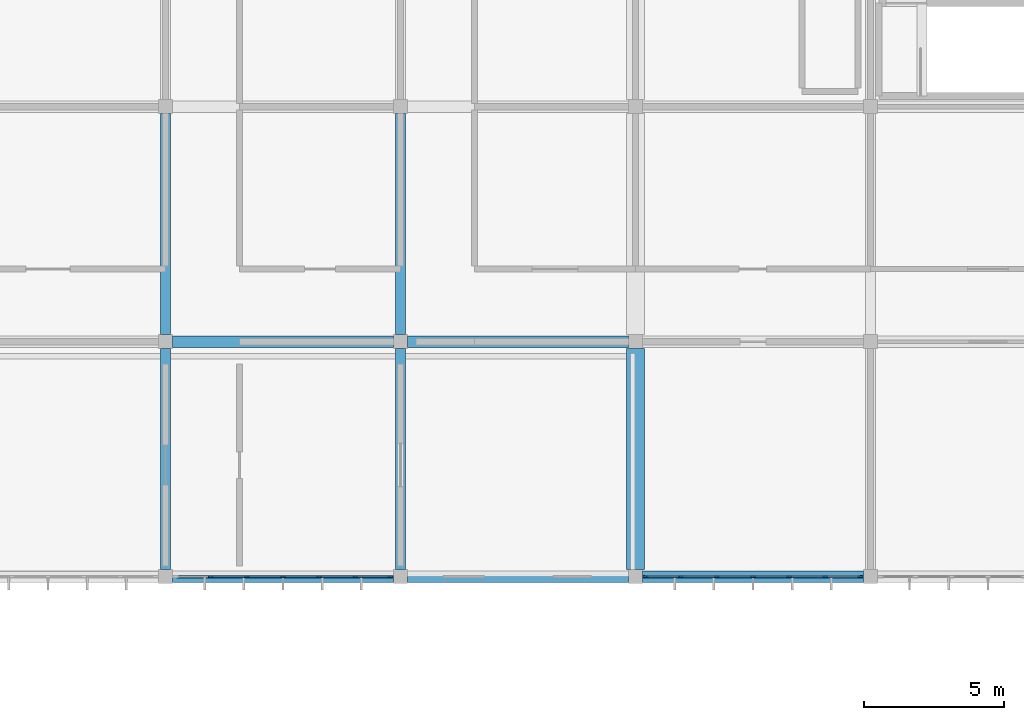
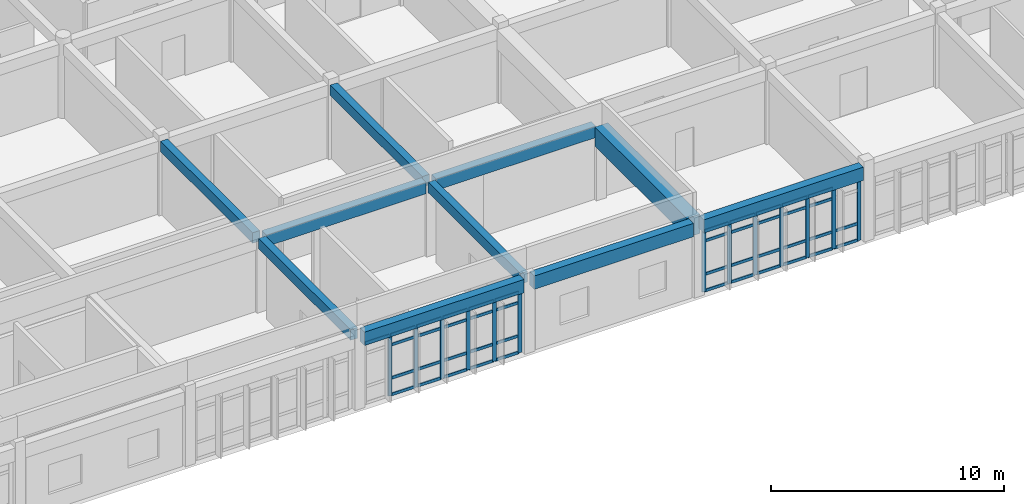
# One storey, part 5 of 119: 56 members, 10 beams, 2 elements without a shape of their own.
"""IFC4 building model written with IfcOpenShell, lengths in metres."""

from ifc_helpers import new_model, si_unit, direction, frame, origin, origin_2d, place, context, subcontext, project, spatial, rectangle, extrude, material, layer, layer_set, material_profile, profile_set, type_object, element, aggregate, save


model = new_model("IFC4")

# Units and contexts
model_context = context("Model", 3, precision=1e-05, world=origin(), true_north=direction((0.0, 1.0)))
body_context = subcontext(model_context, "Body", "Model", "MODEL_VIEW")
ifc_project = project(units=[si_unit("LENGTHUNIT", "METRE"), si_unit("AREAUNIT", "SQUARE_METRE"), si_unit("VOLUMEUNIT", "CUBIC_METRE"), si_unit("PLANEANGLEUNIT", "RADIAN"), si_unit("MASSUNIT", "GRAM", prefix="KILO")], contexts=[model_context])

# Site, building, storey
site_placement = place(None, origin())
site = spatial("IfcSite", under=ifc_project, at=site_placement, CompositionType="ELEMENT")
building_placement = place(site_placement, origin())
building = spatial("IfcBuilding", under=site, at=building_placement, Name="Bramfleet General Hospital", CompositionType="ELEMENT")
storey_placement = place(building_placement, frame((0.0, 0.0, 14.39990234375)))
storey = spatial("IfcBuildingStorey", under=building, at=storey_placement, Name="L03", CompositionType="ELEMENT", Elevation=14.39990234375)

# Beams
ifc_material_1 = material(Name="Concrete C35/45", Category="concrete")
ifc_material_profile_1 = material_profile(ifc_material_1, rectangle(XDim=0.35009765625, YDim=0.550048828125, at=origin_2d()), Name="RC BM 550x350")
ifc_profile_set_1 = profile_set([ifc_material_profile_1], Name="Concrete C35/45")
beam_type_1 = type_object("IfcBeamType", Name="BM-RC550", PredefinedType="BEAM", material=ifc_profile_set_1)
beam_1_placement = place(storey_placement, frame((33.60009765625, 50.64990234375, 3.625), z_axis=(0.0, 1.0, 0.0), x_axis=(-1.0, 0.0, 0.0)))
element("IfcBeam", 1, at=beam_1_placement, inside=storey, type_object=beam_type_1, Name="L03 Grid Beam Y 04-06", PredefinedType="BEAM", context=body_context, shape_type="SweptSolid", body=[
    extrude(rectangle(XDim=0.35009765625, YDim=0.550048828125, at=origin_2d()), origin(), (0.0, 0.0, 1.0), 7.900146484375),
])
beam_2_placement = place(storey_placement, frame((33.60009765625, 59.050048828125, 3.614990234375), z_axis=(0.0, 1.0, 0.0), x_axis=(-1.0, 0.0, 0.0)))
element("IfcBeam", 2, at=beam_2_placement, inside=storey, type_object=beam_type_1, Name="L03 Grid Beam Y 04-07", PredefinedType="BEAM", context=body_context, shape_type="SweptSolid", body=[
    extrude(rectangle(XDim=0.35009765625, YDim=0.550048828125, at=origin_2d()), origin(), (0.0, 0.0, 1.0), 7.89990234375),
])
beam_3_placement = place(storey_placement, frame((42.0, 50.64990234375, 3.625), z_axis=(0.0, 1.0, 0.0), x_axis=(-1.0, 0.0, 0.0)))
element("IfcBeam", 3, at=beam_3_placement, inside=storey, type_object=beam_type_1, Name="L03 Grid Beam Y 05-06", PredefinedType="BEAM", context=body_context, shape_type="SweptSolid", body=[
    extrude(rectangle(XDim=0.35009765625, YDim=0.550048828125, at=origin_2d()), origin(), (0.0, 0.0, 1.0), 7.900146484375),
])
beam_4_placement = place(storey_placement, frame((42.0, 59.050048828125, 3.614990234375), z_axis=(0.0, 1.0, 0.0), x_axis=(-1.0, 0.0, 0.0)))
element("IfcBeam", 4, at=beam_4_placement, inside=storey, type_object=beam_type_1, Name="L03 Grid Beam Y 05-07", PredefinedType="BEAM", context=body_context, shape_type="SweptSolid", body=[
    extrude(rectangle(XDim=0.35009765625, YDim=0.550048828125, at=origin_2d()), origin(), (0.0, 0.0, 1.0), 7.89990234375),
])
ifc_material_profile_2 = material_profile(ifc_material_1, rectangle(XDim=0.39990234375, YDim=0.60009765625, at=origin_2d()), Name="RC BM 600x400")
ifc_profile_set_2 = profile_set([ifc_material_profile_2], Name="Concrete C35/45")
beam_type_2 = type_object("IfcBeamType", Name="BM-RC600", PredefinedType="BEAM", material=ifc_profile_set_2)
for number, where, z_axis, x_axis, name in (
    (5, (33.85009765625, 58.800048828125, 3.590087890625), (1.0, 0.0, 0.0), (0.0, 1.0, 0.0), "L03 Grid Beam X 04-07"),
    (6, (42.25, 58.800048828125, 3.590087890625), (1.0, 0.0, 0.0), (0.0, 1.0, 0.0), "L03 Grid Beam X 05-07"),
):
    element("IfcBeam", number, at=place(storey_placement, frame(where, z_axis=z_axis, x_axis=x_axis)), inside=storey, type_object=beam_type_2, Name=name, PredefinedType="BEAM", context=body_context, shape_type="SweptSolid", body=[
        extrude(rectangle(XDim=0.39990234375, YDim=0.60009765625, at=origin_2d()), origin(), (0.0, 0.0, 1.0), 7.89990234375),
    ])
ifc_material_profile_3 = material_profile(ifc_material_1, rectangle(XDim=0.39990234375, YDim=0.699951171875, at=origin_2d()), Name="RC SP 700x400")
ifc_profile_set_3 = profile_set([ifc_material_profile_3], Name="Concrete C35/45")
beam_type_3 = type_object("IfcBeamType", Name="BM-SP700", PredefinedType="SPANDREL", material=ifc_profile_set_3)
for number, where, z_axis, x_axis, name in (
    (7, (33.85009765625, 50.39990234375, 3.550048828125), (1.0, 0.0, 0.0), (0.0, 1.0, 0.0), "L03 Grid Beam X 04-06"),
    (8, (42.25, 50.39990234375, 3.550048828125), (1.0, 0.0, 0.0), (0.0, 1.0, 0.0), "L03 Grid Beam X 05-06"),
):
    element("IfcBeam", number, at=place(storey_placement, frame(where, z_axis=z_axis, x_axis=x_axis)), inside=storey, type_object=beam_type_3, Name=name, PredefinedType="SPANDREL", context=body_context, shape_type="SweptSolid", body=[
        extrude(rectangle(XDim=0.39990234375, YDim=0.699951171875, at=origin_2d()), origin(), (0.0, 0.0, 1.0), 7.89990234375),
    ])
beam_5_placement = place(storey_placement, frame((50.64990234375, 50.39990234375, 3.550048828125), z_axis=(1.0, 0.0, 0.0), x_axis=(0.0, 1.0, 0.0)))
element("IfcBeam", 9, at=beam_5_placement, inside=storey, type_object=beam_type_3, Name="L03 Grid Beam X 06-06", PredefinedType="SPANDREL", context=body_context, shape_type="SweptSolid", body=[
    extrude(rectangle(XDim=0.39990234375, YDim=0.699951171875, at=origin_2d()), origin(), (0.0, 0.0, 1.0), 7.900146484375),
])
ifc_material_2 = material(Name="Concrete C40/50", Category="concrete")
ifc_material_profile_4 = material_profile(ifc_material_2, rectangle(XDim=0.64990234375, YDim=1.0, at=origin_2d()), Name="RC TG 1000x650")
ifc_profile_set_4 = profile_set([ifc_material_profile_4], Name="Concrete C40/50")
beam_type_4 = type_object("IfcBeamType", Name="BM-TG1000", PredefinedType="BEAM", material=ifc_profile_set_4)
beam_6_placement = place(storey_placement, frame((50.39990234375, 50.64990234375, 3.400146484375), z_axis=(0.0, 1.0, 0.0), x_axis=(-1.0, 0.0, 0.0)))
element("IfcBeam", 10, at=beam_6_placement, inside=storey, type_object=beam_type_4, Name="L03 Transfer Girder Y 06-06", PredefinedType="BEAM", context=body_context, shape_type="SweptSolid", body=[
    extrude(rectangle(XDim=0.64990234375, YDim=1.0, at=origin_2d()), origin(), (0.0, 0.0, 1.0), 7.900146484375),
])

# Curtain wall, members
ifc_material_3 = material(Name="Anodised aluminium and low-E triple glazing", Category="aluminium")
ifc_layer_1 = layer(ifc_material_3, 0.179931640625, Name="CWT-CW-02")
ifc_layer_set_1 = layer_set([ifc_layer_1], Name="Anodised aluminium and low-E triple glazing")
curtain_wall_type_1 = type_object("IfcCurtainWallType", Name="CWT-CW-02", PredefinedType="USERDEFINED", material=ifc_layer_set_1)
curtain_wall_1_placement = place(storey_placement, origin())
curtain_wall_1 = element("IfcCurtainWall", 11, at=curtain_wall_1_placement, inside=storey, type_object=curtain_wall_type_1, Name="L03 Curtain Wall 182", ObjectType="Unitised curtain wall", PredefinedType="USERDEFINED")
ifc_material_4 = material(Name="Structural timber GL28h", Category="wood")
ifc_material_profile_5 = material_profile(ifc_material_4, rectangle(XDim=0.070068359375, YDim=0.18994140625, at=origin_2d()), Name="LARCH 190x70")
ifc_profile_set_5 = profile_set([ifc_material_profile_5], Name="Structural timber GL28h")
member_type_1 = type_object("IfcMemberType", Name="CWM-LARCH450", PredefinedType="MULLION", material=ifc_profile_set_5)
member_1_placement = place(storey_placement, frame((58.43994140625, 50.39990234375, 0.0), z_axis=(0.0, 0.0, 1.0), x_axis=(0.0, -1.0, 0.0)))
member_1 = element("IfcMember", 12, at=member_1_placement, type_object=member_type_1, Name="CW-02 mullion 1", PredefinedType="MULLION", context=body_context, shape_type="SweptSolid", body=[
    extrude(rectangle(XDim=0.070068359375, YDim=0.18994140625, at=origin_2d()), origin(), (0.0, 0.0, 1.0), 3.190185546875),
])
member_2_placement = place(storey_placement, frame((57.183349609375, 50.39990234375, 0.0), z_axis=(0.0, 0.0, 1.0), x_axis=(0.0, -1.0, 0.0)))
member_2 = element("IfcMember", 13, at=member_2_placement, type_object=member_type_1, Name="CW-02 mullion 2", PredefinedType="MULLION", context=body_context, shape_type="SweptSolid", body=[
    extrude(rectangle(XDim=0.070068359375, YDim=0.18994140625, at=origin_2d()), origin(), (0.0, 0.0, 1.0), 3.190185546875),
])
member_3_placement = place(storey_placement, frame((55.8916015625, 50.39990234375, 0.0), z_axis=(0.0, 0.0, 1.0), x_axis=(0.0, -1.0, 0.0)))
member_3 = element("IfcMember", 14, at=member_3_placement, type_object=member_type_1, Name="CW-02 mullion 3", PredefinedType="MULLION", context=body_context, shape_type="SweptSolid", body=[
    extrude(rectangle(XDim=0.070068359375, YDim=0.18994140625, at=origin_2d()), origin(), (0.0, 0.0, 1.0), 3.190185546875),
])
member_4_placement = place(storey_placement, frame((54.60009765625, 50.39990234375, 0.0), z_axis=(0.0, 0.0, 1.0), x_axis=(0.0, -1.0, 0.0)))
member_4 = element("IfcMember", 15, at=member_4_placement, type_object=member_type_1, Name="CW-02 mullion 4", PredefinedType="MULLION", context=body_context, shape_type="SweptSolid", body=[
    extrude(rectangle(XDim=0.070068359375, YDim=0.18994140625, at=origin_2d()), origin(), (0.0, 0.0, 1.0), 3.190185546875),
])
member_5_placement = place(storey_placement, frame((53.308349609375, 50.39990234375, 0.0), z_axis=(0.0, 0.0, 1.0), x_axis=(0.0, -1.0, 0.0)))
member_5 = element("IfcMember", 16, at=member_5_placement, type_object=member_type_1, Name="CW-02 mullion 5", PredefinedType="MULLION", context=body_context, shape_type="SweptSolid", body=[
    extrude(rectangle(XDim=0.070068359375, YDim=0.18994140625, at=origin_2d()), origin(), (0.0, 0.0, 1.0), 3.190185546875),
])
member_6_placement = place(storey_placement, frame((52.0166015625, 50.39990234375, 0.0), z_axis=(0.0, 0.0, 1.0), x_axis=(0.0, -1.0, 0.0)))
member_6 = element("IfcMember", 17, at=member_6_placement, type_object=member_type_1, Name="CW-02 mullion 6", PredefinedType="MULLION", context=body_context, shape_type="SweptSolid", body=[
    extrude(rectangle(XDim=0.070068359375, YDim=0.18994140625, at=origin_2d()), origin(), (0.0, 0.0, 1.0), 3.190185546875),
])
member_7_placement = place(storey_placement, frame((50.760009765625, 50.39990234375, 0.0), z_axis=(0.0, 0.0, 1.0), x_axis=(0.0, -1.0, 0.0)))
member_7 = element("IfcMember", 18, at=member_7_placement, type_object=member_type_1, Name="CW-02 mullion 7", PredefinedType="MULLION", context=body_context, shape_type="SweptSolid", body=[
    extrude(rectangle(XDim=0.070068359375, YDim=0.18994140625, at=origin_2d()), origin(), (0.0, 0.0, 1.0), 3.190185546875),
])

ifc_layer_2 = layer(ifc_material_3, 0.179931640625, Name="CWT-CW-03")
ifc_layer_set_2 = layer_set([ifc_layer_2], Name="Anodised aluminium and low-E triple glazing")
curtain_wall_type_2 = type_object("IfcCurtainWallType", Name="CWT-CW-03", PredefinedType="USERDEFINED", material=ifc_layer_set_2)
curtain_wall_2_placement = place(storey_placement, origin())
curtain_wall_2 = element("IfcCurtainWall", 19, at=curtain_wall_2_placement, inside=storey, type_object=curtain_wall_type_2, Name="L03 Curtain Wall 183", ObjectType="Unitised curtain wall", PredefinedType="USERDEFINED")
member_8_placement = place(storey_placement, frame((41.639892578125, 50.39990234375, 0.0), z_axis=(0.0, 0.0, 1.0), x_axis=(0.0, -1.0, 0.0)))
member_8 = element("IfcMember", 20, at=member_8_placement, type_object=member_type_1, Name="CW-03 mullion 1", PredefinedType="MULLION", context=body_context, shape_type="SweptSolid", body=[
    extrude(rectangle(XDim=0.070068359375, YDim=0.18994140625, at=origin_2d()), origin(), (0.0, 0.0, 1.0), 3.190185546875),
])
member_9_placement = place(storey_placement, frame((40.38330078125, 50.39990234375, 0.0), z_axis=(0.0, 0.0, 1.0), x_axis=(0.0, -1.0, 0.0)))
member_9 = element("IfcMember", 21, at=member_9_placement, type_object=member_type_1, Name="CW-03 mullion 2", PredefinedType="MULLION", context=body_context, shape_type="SweptSolid", body=[
    extrude(rectangle(XDim=0.070068359375, YDim=0.18994140625, at=origin_2d()), origin(), (0.0, 0.0, 1.0), 3.190185546875),
])
member_10_placement = place(storey_placement, frame((39.091552734375, 50.39990234375, 0.0), z_axis=(0.0, 0.0, 1.0), x_axis=(0.0, -1.0, 0.0)))
member_10 = element("IfcMember", 22, at=member_10_placement, type_object=member_type_1, Name="CW-03 mullion 3", PredefinedType="MULLION", context=body_context, shape_type="SweptSolid", body=[
    extrude(rectangle(XDim=0.070068359375, YDim=0.18994140625, at=origin_2d()), origin(), (0.0, 0.0, 1.0), 3.190185546875),
])
member_11_placement = place(storey_placement, frame((37.800048828125, 50.39990234375, 0.0), z_axis=(0.0, 0.0, 1.0), x_axis=(0.0, -1.0, 0.0)))
member_11 = element("IfcMember", 23, at=member_11_placement, type_object=member_type_1, Name="CW-03 mullion 4", PredefinedType="MULLION", context=body_context, shape_type="SweptSolid", body=[
    extrude(rectangle(XDim=0.070068359375, YDim=0.18994140625, at=origin_2d()), origin(), (0.0, 0.0, 1.0), 3.190185546875),
])
member_12_placement = place(storey_placement, frame((36.50830078125, 50.39990234375, 0.0), z_axis=(0.0, 0.0, 1.0), x_axis=(0.0, -1.0, 0.0)))
member_12 = element("IfcMember", 24, at=member_12_placement, type_object=member_type_1, Name="CW-03 mullion 5", PredefinedType="MULLION", context=body_context, shape_type="SweptSolid", body=[
    extrude(rectangle(XDim=0.070068359375, YDim=0.18994140625, at=origin_2d()), origin(), (0.0, 0.0, 1.0), 3.190185546875),
])
member_13_placement = place(storey_placement, frame((35.216552734375, 50.39990234375, 0.0), z_axis=(0.0, 0.0, 1.0), x_axis=(0.0, -1.0, 0.0)))
member_13 = element("IfcMember", 25, at=member_13_placement, type_object=member_type_1, Name="CW-03 mullion 6", PredefinedType="MULLION", context=body_context, shape_type="SweptSolid", body=[
    extrude(rectangle(XDim=0.070068359375, YDim=0.18994140625, at=origin_2d()), origin(), (0.0, 0.0, 1.0), 3.190185546875),
])

# Member
ifc_material_profile_6 = material_profile(ifc_material_4, rectangle(XDim=0.06494140625, YDim=0.14990234375, at=origin_2d()), Name="LARCH 150x65")
ifc_profile_set_6 = profile_set([ifc_material_profile_6], Name="Structural timber GL28h")
member_type_2 = type_object("IfcMemberType", Name="CWT-LARCH220", PredefinedType="USERDEFINED", material=ifc_profile_set_6)
member_14_placement = place(storey_placement, frame((58.405029296875, 50.39990234375, 0.03271484375), z_axis=(-1.0, 0.0, 0.0), x_axis=(0.0, -1.0, 0.0)))
member_14 = element("IfcMember", 26, at=member_14_placement, type_object=member_type_2, Name="CW-02 transom 1.1", ObjectType="TRANSOM", PredefinedType="USERDEFINED", context=body_context, shape_type="SweptSolid", body=[
    extrude(rectangle(XDim=0.06494140625, YDim=0.14990234375, at=origin_2d()), origin(), (0.0, 0.0, 1.0), 1.186767578125),
])

member_15_placement = place(storey_placement, frame((58.405029296875, 50.39990234375, 0.900146484375), z_axis=(-1.0, 0.0, 0.0), x_axis=(0.0, -1.0, 0.0)))
member_15 = element("IfcMember", 27, at=member_15_placement, type_object=member_type_2, Name="CW-02 transom 1.2", ObjectType="TRANSOM", PredefinedType="USERDEFINED", context=body_context, shape_type="SweptSolid", body=[
    extrude(rectangle(XDim=0.06494140625, YDim=0.14990234375, at=origin_2d()), origin(), (0.0, 0.0, 1.0), 1.186767578125),
])

member_16_placement = place(storey_placement, frame((57.1484375, 50.39990234375, 0.03271484375), z_axis=(-1.0, 0.0, 0.0), x_axis=(0.0, -1.0, 0.0)))
member_16 = element("IfcMember", 28, at=member_16_placement, type_object=member_type_2, Name="CW-02 transom 2.1", ObjectType="TRANSOM", PredefinedType="USERDEFINED", context=body_context, shape_type="SweptSolid", body=[
    extrude(rectangle(XDim=0.06494140625, YDim=0.14990234375, at=origin_2d()), origin(), (0.0, 0.0, 1.0), 1.2216796875),
])

member_17_placement = place(storey_placement, frame((57.1484375, 50.39990234375, 0.900146484375), z_axis=(-1.0, 0.0, 0.0), x_axis=(0.0, -1.0, 0.0)))
member_17 = element("IfcMember", 29, at=member_17_placement, type_object=member_type_2, Name="CW-02 transom 2.2", ObjectType="TRANSOM", PredefinedType="USERDEFINED", context=body_context, shape_type="SweptSolid", body=[
    extrude(rectangle(XDim=0.06494140625, YDim=0.14990234375, at=origin_2d()), origin(), (0.0, 0.0, 1.0), 1.2216796875),
])

member_18_placement = place(storey_placement, frame((57.1484375, 50.39990234375, 2.64013671875), z_axis=(-1.0, 0.0, 0.0), x_axis=(0.0, -1.0, 0.0)))
member_18 = element("IfcMember", 30, at=member_18_placement, type_object=member_type_2, Name="CW-02 transom 2.3", ObjectType="TRANSOM", PredefinedType="USERDEFINED", context=body_context, shape_type="SweptSolid", body=[
    extrude(rectangle(XDim=0.06494140625, YDim=0.14990234375, at=origin_2d()), origin(), (0.0, 0.0, 1.0), 1.2216796875),
])

member_19_placement = place(storey_placement, frame((57.1484375, 50.39990234375, 3.15771484375), z_axis=(-1.0, 0.0, 0.0), x_axis=(0.0, -1.0, 0.0)))
member_19 = element("IfcMember", 31, at=member_19_placement, type_object=member_type_2, Name="CW-02 transom 2.4", ObjectType="TRANSOM", PredefinedType="USERDEFINED", context=body_context, shape_type="SweptSolid", body=[
    extrude(rectangle(XDim=0.06494140625, YDim=0.14990234375, at=origin_2d()), origin(), (0.0, 0.0, 1.0), 1.2216796875),
])

member_20_placement = place(storey_placement, frame((55.856689453125, 50.39990234375, 0.03271484375), z_axis=(-1.0, 0.0, 0.0), x_axis=(0.0, -1.0, 0.0)))
member_20 = element("IfcMember", 32, at=member_20_placement, type_object=member_type_2, Name="CW-02 transom 3.1", ObjectType="TRANSOM", PredefinedType="USERDEFINED", context=body_context, shape_type="SweptSolid", body=[
    extrude(rectangle(XDim=0.06494140625, YDim=0.14990234375, at=origin_2d()), origin(), (0.0, 0.0, 1.0), 1.2216796875),
])

member_21_placement = place(storey_placement, frame((55.856689453125, 50.39990234375, 0.900146484375), z_axis=(-1.0, 0.0, 0.0), x_axis=(0.0, -1.0, 0.0)))
member_21 = element("IfcMember", 33, at=member_21_placement, type_object=member_type_2, Name="CW-02 transom 3.2", ObjectType="TRANSOM", PredefinedType="USERDEFINED", context=body_context, shape_type="SweptSolid", body=[
    extrude(rectangle(XDim=0.06494140625, YDim=0.14990234375, at=origin_2d()), origin(), (0.0, 0.0, 1.0), 1.2216796875),
])

member_22_placement = place(storey_placement, frame((55.856689453125, 50.39990234375, 2.64013671875), z_axis=(-1.0, 0.0, 0.0), x_axis=(0.0, -1.0, 0.0)))
member_22 = element("IfcMember", 34, at=member_22_placement, type_object=member_type_2, Name="CW-02 transom 3.3", ObjectType="TRANSOM", PredefinedType="USERDEFINED", context=body_context, shape_type="SweptSolid", body=[
    extrude(rectangle(XDim=0.06494140625, YDim=0.14990234375, at=origin_2d()), origin(), (0.0, 0.0, 1.0), 1.2216796875),
])

member_23_placement = place(storey_placement, frame((55.856689453125, 50.39990234375, 3.15771484375), z_axis=(-1.0, 0.0, 0.0), x_axis=(0.0, -1.0, 0.0)))
member_23 = element("IfcMember", 35, at=member_23_placement, type_object=member_type_2, Name="CW-02 transom 3.4", ObjectType="TRANSOM", PredefinedType="USERDEFINED", context=body_context, shape_type="SweptSolid", body=[
    extrude(rectangle(XDim=0.06494140625, YDim=0.14990234375, at=origin_2d()), origin(), (0.0, 0.0, 1.0), 1.2216796875),
])

member_24_placement = place(storey_placement, frame((54.56494140625, 50.39990234375, 0.03271484375), z_axis=(-1.0, 0.0, 0.0), x_axis=(0.0, -1.0, 0.0)))
member_24 = element("IfcMember", 36, at=member_24_placement, type_object=member_type_2, Name="CW-02 transom 4.1", ObjectType="TRANSOM", PredefinedType="USERDEFINED", context=body_context, shape_type="SweptSolid", body=[
    extrude(rectangle(XDim=0.06494140625, YDim=0.14990234375, at=origin_2d()), origin(), (0.0, 0.0, 1.0), 1.2216796875),
])

member_25_placement = place(storey_placement, frame((54.56494140625, 50.39990234375, 0.900146484375), z_axis=(-1.0, 0.0, 0.0), x_axis=(0.0, -1.0, 0.0)))
member_25 = element("IfcMember", 37, at=member_25_placement, type_object=member_type_2, Name="CW-02 transom 4.2", ObjectType="TRANSOM", PredefinedType="USERDEFINED", context=body_context, shape_type="SweptSolid", body=[
    extrude(rectangle(XDim=0.06494140625, YDim=0.14990234375, at=origin_2d()), origin(), (0.0, 0.0, 1.0), 1.2216796875),
])

member_26_placement = place(storey_placement, frame((54.56494140625, 50.39990234375, 2.64013671875), z_axis=(-1.0, 0.0, 0.0), x_axis=(0.0, -1.0, 0.0)))
member_26 = element("IfcMember", 38, at=member_26_placement, type_object=member_type_2, Name="CW-02 transom 4.3", ObjectType="TRANSOM", PredefinedType="USERDEFINED", context=body_context, shape_type="SweptSolid", body=[
    extrude(rectangle(XDim=0.06494140625, YDim=0.14990234375, at=origin_2d()), origin(), (0.0, 0.0, 1.0), 1.2216796875),
])

member_27_placement = place(storey_placement, frame((54.56494140625, 50.39990234375, 3.15771484375), z_axis=(-1.0, 0.0, 0.0), x_axis=(0.0, -1.0, 0.0)))
member_27 = element("IfcMember", 39, at=member_27_placement, type_object=member_type_2, Name="CW-02 transom 4.4", ObjectType="TRANSOM", PredefinedType="USERDEFINED", context=body_context, shape_type="SweptSolid", body=[
    extrude(rectangle(XDim=0.06494140625, YDim=0.14990234375, at=origin_2d()), origin(), (0.0, 0.0, 1.0), 1.2216796875),
])

member_28_placement = place(storey_placement, frame((53.2734375, 50.39990234375, 0.03271484375), z_axis=(-1.0, 0.0, 0.0), x_axis=(0.0, -1.0, 0.0)))
member_28 = element("IfcMember", 40, at=member_28_placement, type_object=member_type_2, Name="CW-02 transom 5.1", ObjectType="TRANSOM", PredefinedType="USERDEFINED", context=body_context, shape_type="SweptSolid", body=[
    extrude(rectangle(XDim=0.06494140625, YDim=0.14990234375, at=origin_2d()), origin(), (0.0, 0.0, 1.0), 1.2216796875),
])

member_29_placement = place(storey_placement, frame((53.2734375, 50.39990234375, 0.900146484375), z_axis=(-1.0, 0.0, 0.0), x_axis=(0.0, -1.0, 0.0)))
member_29 = element("IfcMember", 41, at=member_29_placement, type_object=member_type_2, Name="CW-02 transom 5.2", ObjectType="TRANSOM", PredefinedType="USERDEFINED", context=body_context, shape_type="SweptSolid", body=[
    extrude(rectangle(XDim=0.06494140625, YDim=0.14990234375, at=origin_2d()), origin(), (0.0, 0.0, 1.0), 1.2216796875),
])

member_30_placement = place(storey_placement, frame((53.2734375, 50.39990234375, 2.64013671875), z_axis=(-1.0, 0.0, 0.0), x_axis=(0.0, -1.0, 0.0)))
member_30 = element("IfcMember", 42, at=member_30_placement, type_object=member_type_2, Name="CW-02 transom 5.3", ObjectType="TRANSOM", PredefinedType="USERDEFINED", context=body_context, shape_type="SweptSolid", body=[
    extrude(rectangle(XDim=0.06494140625, YDim=0.14990234375, at=origin_2d()), origin(), (0.0, 0.0, 1.0), 1.2216796875),
])

member_31_placement = place(storey_placement, frame((53.2734375, 50.39990234375, 3.15771484375), z_axis=(-1.0, 0.0, 0.0), x_axis=(0.0, -1.0, 0.0)))
member_31 = element("IfcMember", 43, at=member_31_placement, type_object=member_type_2, Name="CW-02 transom 5.4", ObjectType="TRANSOM", PredefinedType="USERDEFINED", context=body_context, shape_type="SweptSolid", body=[
    extrude(rectangle(XDim=0.06494140625, YDim=0.14990234375, at=origin_2d()), origin(), (0.0, 0.0, 1.0), 1.2216796875),
])

member_32_placement = place(storey_placement, frame((51.981689453125, 50.39990234375, 0.03271484375), z_axis=(-1.0, 0.0, 0.0), x_axis=(0.0, -1.0, 0.0)))
member_32 = element("IfcMember", 44, at=member_32_placement, type_object=member_type_2, Name="CW-02 transom 6.1", ObjectType="TRANSOM", PredefinedType="USERDEFINED", context=body_context, shape_type="SweptSolid", body=[
    extrude(rectangle(XDim=0.06494140625, YDim=0.14990234375, at=origin_2d()), origin(), (0.0, 0.0, 1.0), 1.186767578125),
])

member_33_placement = place(storey_placement, frame((51.981689453125, 50.39990234375, 0.900146484375), z_axis=(-1.0, 0.0, 0.0), x_axis=(0.0, -1.0, 0.0)))
member_33 = element("IfcMember", 45, at=member_33_placement, type_object=member_type_2, Name="CW-02 transom 6.2", ObjectType="TRANSOM", PredefinedType="USERDEFINED", context=body_context, shape_type="SweptSolid", body=[
    extrude(rectangle(XDim=0.06494140625, YDim=0.14990234375, at=origin_2d()), origin(), (0.0, 0.0, 1.0), 1.186767578125),
])

member_34_placement = place(storey_placement, frame((51.981689453125, 50.39990234375, 2.64013671875), z_axis=(-1.0, 0.0, 0.0), x_axis=(0.0, -1.0, 0.0)))
member_34 = element("IfcMember", 46, at=member_34_placement, type_object=member_type_2, Name="CW-02 transom 6.3", ObjectType="TRANSOM", PredefinedType="USERDEFINED", context=body_context, shape_type="SweptSolid", body=[
    extrude(rectangle(XDim=0.06494140625, YDim=0.14990234375, at=origin_2d()), origin(), (0.0, 0.0, 1.0), 1.186767578125),
])

member_35_placement = place(storey_placement, frame((51.981689453125, 50.39990234375, 3.15771484375), z_axis=(-1.0, 0.0, 0.0), x_axis=(0.0, -1.0, 0.0)))
member_35 = element("IfcMember", 47, at=member_35_placement, type_object=member_type_2, Name="CW-02 transom 6.4", ObjectType="TRANSOM", PredefinedType="USERDEFINED", context=body_context, shape_type="SweptSolid", body=[
    extrude(rectangle(XDim=0.06494140625, YDim=0.14990234375, at=origin_2d()), origin(), (0.0, 0.0, 1.0), 1.186767578125),
])

aggregate(curtain_wall_1, [member_1, member_2, member_3, member_4, member_5, member_6, member_7, member_14, member_15, member_16, member_17, member_18, member_19, member_20, member_21, member_22, member_23, member_24, member_25, member_26, member_27, member_28, member_29, member_30, member_31, member_32, member_33, member_34, member_35])

member_36_placement = place(storey_placement, frame((41.60498046875, 50.39990234375, 0.03271484375), z_axis=(-1.0, 0.0, 0.0), x_axis=(0.0, -1.0, 0.0)))
member_36 = element("IfcMember", 48, at=member_36_placement, type_object=member_type_2, Name="CW-03 transom 1.1", ObjectType="TRANSOM", PredefinedType="USERDEFINED", context=body_context, shape_type="SweptSolid", body=[
    extrude(rectangle(XDim=0.06494140625, YDim=0.14990234375, at=origin_2d()), origin(), (0.0, 0.0, 1.0), 1.186767578125),
])

member_37_placement = place(storey_placement, frame((41.60498046875, 50.39990234375, 0.900146484375), z_axis=(-1.0, 0.0, 0.0), x_axis=(0.0, -1.0, 0.0)))
member_37 = element("IfcMember", 49, at=member_37_placement, type_object=member_type_2, Name="CW-03 transom 1.2", ObjectType="TRANSOM", PredefinedType="USERDEFINED", context=body_context, shape_type="SweptSolid", body=[
    extrude(rectangle(XDim=0.06494140625, YDim=0.14990234375, at=origin_2d()), origin(), (0.0, 0.0, 1.0), 1.186767578125),
])

member_38_placement = place(storey_placement, frame((41.60498046875, 50.39990234375, 2.64013671875), z_axis=(-1.0, 0.0, 0.0), x_axis=(0.0, -1.0, 0.0)))
member_38 = element("IfcMember", 50, at=member_38_placement, type_object=member_type_2, Name="CW-03 transom 1.3", ObjectType="TRANSOM", PredefinedType="USERDEFINED", context=body_context, shape_type="SweptSolid", body=[
    extrude(rectangle(XDim=0.06494140625, YDim=0.14990234375, at=origin_2d()), origin(), (0.0, 0.0, 1.0), 1.186767578125),
])

member_39_placement = place(storey_placement, frame((41.60498046875, 50.39990234375, 3.15771484375), z_axis=(-1.0, 0.0, 0.0), x_axis=(0.0, -1.0, 0.0)))
member_39 = element("IfcMember", 51, at=member_39_placement, type_object=member_type_2, Name="CW-03 transom 1.4", ObjectType="TRANSOM", PredefinedType="USERDEFINED", context=body_context, shape_type="SweptSolid", body=[
    extrude(rectangle(XDim=0.06494140625, YDim=0.14990234375, at=origin_2d()), origin(), (0.0, 0.0, 1.0), 1.186767578125),
])

member_40_placement = place(storey_placement, frame((40.348388671875, 50.39990234375, 0.03271484375), z_axis=(-1.0, 0.0, 0.0), x_axis=(0.0, -1.0, 0.0)))
member_40 = element("IfcMember", 52, at=member_40_placement, type_object=member_type_2, Name="CW-03 transom 2.1", ObjectType="TRANSOM", PredefinedType="USERDEFINED", context=body_context, shape_type="SweptSolid", body=[
    extrude(rectangle(XDim=0.06494140625, YDim=0.14990234375, at=origin_2d()), origin(), (0.0, 0.0, 1.0), 1.2216796875),
])

member_41_placement = place(storey_placement, frame((40.348388671875, 50.39990234375, 0.900146484375), z_axis=(-1.0, 0.0, 0.0), x_axis=(0.0, -1.0, 0.0)))
member_41 = element("IfcMember", 53, at=member_41_placement, type_object=member_type_2, Name="CW-03 transom 2.2", ObjectType="TRANSOM", PredefinedType="USERDEFINED", context=body_context, shape_type="SweptSolid", body=[
    extrude(rectangle(XDim=0.06494140625, YDim=0.14990234375, at=origin_2d()), origin(), (0.0, 0.0, 1.0), 1.2216796875),
])

member_42_placement = place(storey_placement, frame((40.348388671875, 50.39990234375, 2.64013671875), z_axis=(-1.0, 0.0, 0.0), x_axis=(0.0, -1.0, 0.0)))
member_42 = element("IfcMember", 54, at=member_42_placement, type_object=member_type_2, Name="CW-03 transom 2.3", ObjectType="TRANSOM", PredefinedType="USERDEFINED", context=body_context, shape_type="SweptSolid", body=[
    extrude(rectangle(XDim=0.06494140625, YDim=0.14990234375, at=origin_2d()), origin(), (0.0, 0.0, 1.0), 1.2216796875),
])

member_43_placement = place(storey_placement, frame((40.348388671875, 50.39990234375, 3.15771484375), z_axis=(-1.0, 0.0, 0.0), x_axis=(0.0, -1.0, 0.0)))
member_43 = element("IfcMember", 55, at=member_43_placement, type_object=member_type_2, Name="CW-03 transom 2.4", ObjectType="TRANSOM", PredefinedType="USERDEFINED", context=body_context, shape_type="SweptSolid", body=[
    extrude(rectangle(XDim=0.06494140625, YDim=0.14990234375, at=origin_2d()), origin(), (0.0, 0.0, 1.0), 1.2216796875),
])

member_44_placement = place(storey_placement, frame((39.056640625, 50.39990234375, 0.03271484375), z_axis=(-1.0, 0.0, 0.0), x_axis=(0.0, -1.0, 0.0)))
member_44 = element("IfcMember", 56, at=member_44_placement, type_object=member_type_2, Name="CW-03 transom 3.1", ObjectType="TRANSOM", PredefinedType="USERDEFINED", context=body_context, shape_type="SweptSolid", body=[
    extrude(rectangle(XDim=0.06494140625, YDim=0.14990234375, at=origin_2d()), origin(), (0.0, 0.0, 1.0), 1.2216796875),
])

member_45_placement = place(storey_placement, frame((39.056640625, 50.39990234375, 0.900146484375), z_axis=(-1.0, 0.0, 0.0), x_axis=(0.0, -1.0, 0.0)))
member_45 = element("IfcMember", 57, at=member_45_placement, type_object=member_type_2, Name="CW-03 transom 3.2", ObjectType="TRANSOM", PredefinedType="USERDEFINED", context=body_context, shape_type="SweptSolid", body=[
    extrude(rectangle(XDim=0.06494140625, YDim=0.14990234375, at=origin_2d()), origin(), (0.0, 0.0, 1.0), 1.2216796875),
])

member_46_placement = place(storey_placement, frame((39.056640625, 50.39990234375, 2.64013671875), z_axis=(-1.0, 0.0, 0.0), x_axis=(0.0, -1.0, 0.0)))
member_46 = element("IfcMember", 58, at=member_46_placement, type_object=member_type_2, Name="CW-03 transom 3.3", ObjectType="TRANSOM", PredefinedType="USERDEFINED", context=body_context, shape_type="SweptSolid", body=[
    extrude(rectangle(XDim=0.06494140625, YDim=0.14990234375, at=origin_2d()), origin(), (0.0, 0.0, 1.0), 1.2216796875),
])

member_47_placement = place(storey_placement, frame((39.056640625, 50.39990234375, 3.15771484375), z_axis=(-1.0, 0.0, 0.0), x_axis=(0.0, -1.0, 0.0)))
member_47 = element("IfcMember", 59, at=member_47_placement, type_object=member_type_2, Name="CW-03 transom 3.4", ObjectType="TRANSOM", PredefinedType="USERDEFINED", context=body_context, shape_type="SweptSolid", body=[
    extrude(rectangle(XDim=0.06494140625, YDim=0.14990234375, at=origin_2d()), origin(), (0.0, 0.0, 1.0), 1.2216796875),
])

member_48_placement = place(storey_placement, frame((37.764892578125, 50.39990234375, 0.03271484375), z_axis=(-1.0, 0.0, 0.0), x_axis=(0.0, -1.0, 0.0)))
member_48 = element("IfcMember", 60, at=member_48_placement, type_object=member_type_2, Name="CW-03 transom 4.1", ObjectType="TRANSOM", PredefinedType="USERDEFINED", context=body_context, shape_type="SweptSolid", body=[
    extrude(rectangle(XDim=0.06494140625, YDim=0.14990234375, at=origin_2d()), origin(), (0.0, 0.0, 1.0), 1.2216796875),
])

member_49_placement = place(storey_placement, frame((37.764892578125, 50.39990234375, 0.900146484375), z_axis=(-1.0, 0.0, 0.0), x_axis=(0.0, -1.0, 0.0)))
member_49 = element("IfcMember", 61, at=member_49_placement, type_object=member_type_2, Name="CW-03 transom 4.2", ObjectType="TRANSOM", PredefinedType="USERDEFINED", context=body_context, shape_type="SweptSolid", body=[
    extrude(rectangle(XDim=0.06494140625, YDim=0.14990234375, at=origin_2d()), origin(), (0.0, 0.0, 1.0), 1.2216796875),
])

member_50_placement = place(storey_placement, frame((37.764892578125, 50.39990234375, 2.64013671875), z_axis=(-1.0, 0.0, 0.0), x_axis=(0.0, -1.0, 0.0)))
member_50 = element("IfcMember", 62, at=member_50_placement, type_object=member_type_2, Name="CW-03 transom 4.3", ObjectType="TRANSOM", PredefinedType="USERDEFINED", context=body_context, shape_type="SweptSolid", body=[
    extrude(rectangle(XDim=0.06494140625, YDim=0.14990234375, at=origin_2d()), origin(), (0.0, 0.0, 1.0), 1.2216796875),
])

member_51_placement = place(storey_placement, frame((37.764892578125, 50.39990234375, 3.15771484375), z_axis=(-1.0, 0.0, 0.0), x_axis=(0.0, -1.0, 0.0)))
member_51 = element("IfcMember", 63, at=member_51_placement, type_object=member_type_2, Name="CW-03 transom 4.4", ObjectType="TRANSOM", PredefinedType="USERDEFINED", context=body_context, shape_type="SweptSolid", body=[
    extrude(rectangle(XDim=0.06494140625, YDim=0.14990234375, at=origin_2d()), origin(), (0.0, 0.0, 1.0), 1.2216796875),
])

member_52_placement = place(storey_placement, frame((36.473388671875, 50.39990234375, 0.03271484375), z_axis=(-1.0, 0.0, 0.0), x_axis=(0.0, -1.0, 0.0)))
member_52 = element("IfcMember", 64, at=member_52_placement, type_object=member_type_2, Name="CW-03 transom 5.1", ObjectType="TRANSOM", PredefinedType="USERDEFINED", context=body_context, shape_type="SweptSolid", body=[
    extrude(rectangle(XDim=0.06494140625, YDim=0.14990234375, at=origin_2d()), origin(), (0.0, 0.0, 1.0), 1.2216796875),
])

member_53_placement = place(storey_placement, frame((36.473388671875, 50.39990234375, 0.900146484375), z_axis=(-1.0, 0.0, 0.0), x_axis=(0.0, -1.0, 0.0)))
member_53 = element("IfcMember", 65, at=member_53_placement, type_object=member_type_2, Name="CW-03 transom 5.2", ObjectType="TRANSOM", PredefinedType="USERDEFINED", context=body_context, shape_type="SweptSolid", body=[
    extrude(rectangle(XDim=0.06494140625, YDim=0.14990234375, at=origin_2d()), origin(), (0.0, 0.0, 1.0), 1.2216796875),
])

member_54_placement = place(storey_placement, frame((36.473388671875, 50.39990234375, 2.64013671875), z_axis=(-1.0, 0.0, 0.0), x_axis=(0.0, -1.0, 0.0)))
member_54 = element("IfcMember", 66, at=member_54_placement, type_object=member_type_2, Name="CW-03 transom 5.3", ObjectType="TRANSOM", PredefinedType="USERDEFINED", context=body_context, shape_type="SweptSolid", body=[
    extrude(rectangle(XDim=0.06494140625, YDim=0.14990234375, at=origin_2d()), origin(), (0.0, 0.0, 1.0), 1.2216796875),
])

member_55_placement = place(storey_placement, frame((36.473388671875, 50.39990234375, 3.15771484375), z_axis=(-1.0, 0.0, 0.0), x_axis=(0.0, -1.0, 0.0)))
member_55 = element("IfcMember", 67, at=member_55_placement, type_object=member_type_2, Name="CW-03 transom 5.4", ObjectType="TRANSOM", PredefinedType="USERDEFINED", context=body_context, shape_type="SweptSolid", body=[
    extrude(rectangle(XDim=0.06494140625, YDim=0.14990234375, at=origin_2d()), origin(), (0.0, 0.0, 1.0), 1.2216796875),
])

member_56_placement = place(storey_placement, frame((35.181640625, 50.39990234375, 3.15771484375), z_axis=(-1.0, 0.0, 0.0), x_axis=(0.0, -1.0, 0.0)))
member_56 = element("IfcMember", 68, at=member_56_placement, type_object=member_type_2, Name="CW-03 transom 6.4", ObjectType="TRANSOM", PredefinedType="USERDEFINED", context=body_context, shape_type="SweptSolid", body=[
    extrude(rectangle(XDim=0.06494140625, YDim=0.14990234375, at=origin_2d()), origin(), (0.0, 0.0, 1.0), 1.1865234375),
])

aggregate(curtain_wall_2, [member_8, member_9, member_10, member_11, member_12, member_13, member_36, member_37, member_38, member_39, member_40, member_41, member_42, member_43, member_44, member_45, member_46, member_47, member_48, member_49, member_50, member_51, member_52, member_53, member_54, member_55, member_56])

save(model, "model.ifc")
